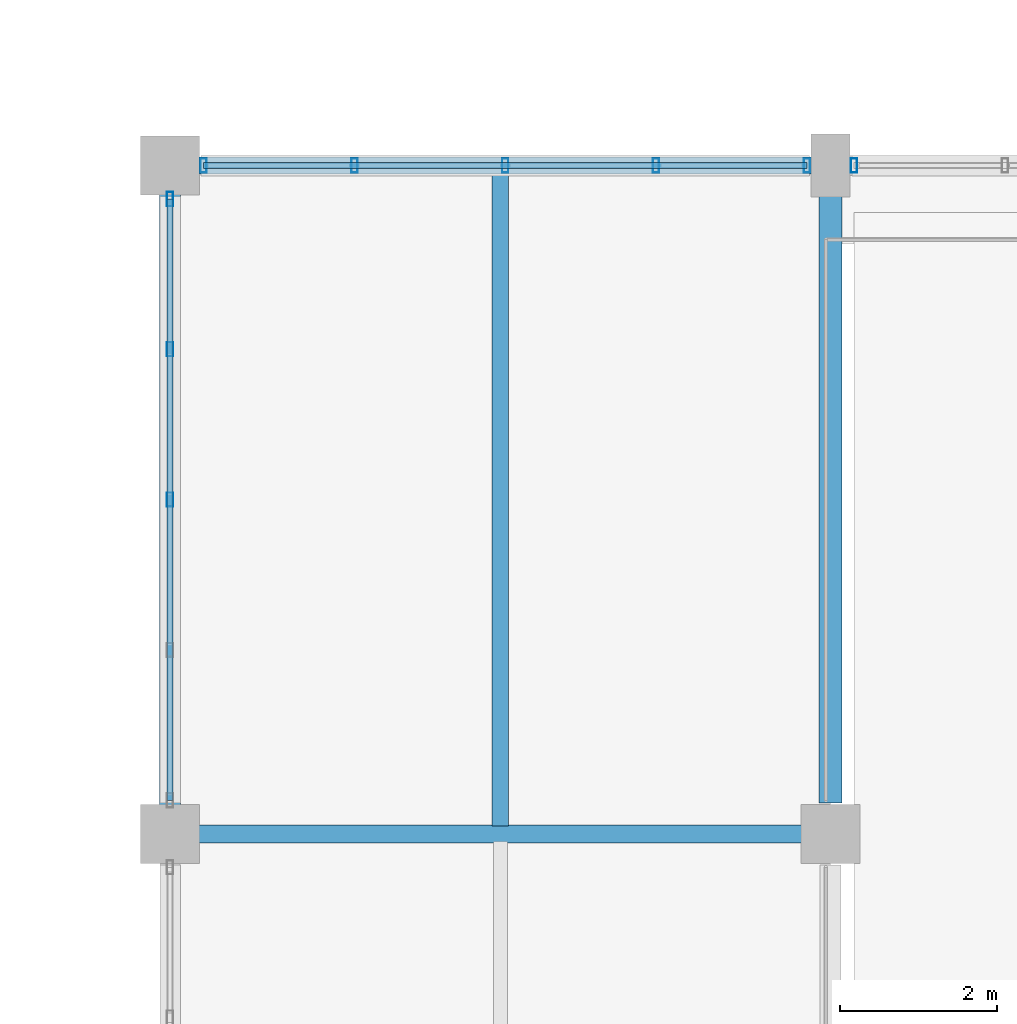
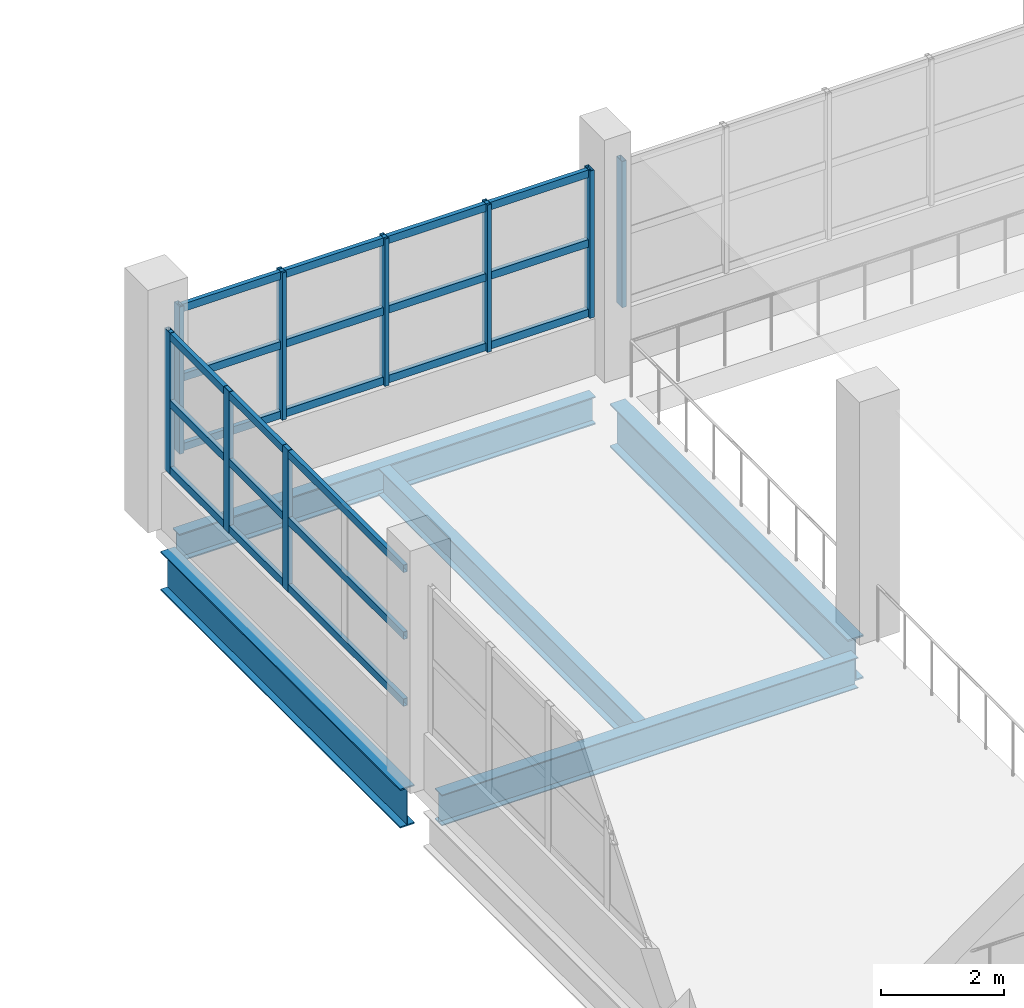
# One storey, part 28 of 77: 15 members, 5 beams, 3 elements without a shape of their own.
"""IFC4 building model written with IfcOpenShell, lengths in metres."""

from ifc_helpers import new_model, si_unit, direction, frame, origin, origin_2d, place, context, subcontext, project, spatial, hollow_rectangle, i_section, extrude, material, material_profile, profile_set, type_object, element, aggregate, save


model = new_model("IFC4")

# Units and contexts
model_context = context("Model", 3, precision=1e-05, world=origin(), true_north=direction((0.0, 1.0)))
body_context = subcontext(model_context, "Body", "Model", "MODEL_VIEW")
ifc_project = project(units=[si_unit("LENGTHUNIT", "METRE"), si_unit("AREAUNIT", "SQUARE_METRE"), si_unit("VOLUMEUNIT", "CUBIC_METRE"), si_unit("PLANEANGLEUNIT", "RADIAN"), si_unit("MASSUNIT", "GRAM", prefix="KILO")], contexts=[model_context])

# Site, building, storey
site_placement = place(None, origin())
site = spatial("IfcSite", under=ifc_project, at=site_placement, CompositionType="ELEMENT")
building_placement = place(site_placement, origin())
building = spatial("IfcBuilding", under=site, at=building_placement, Name="Solvento Point Concert Hall", CompositionType="ELEMENT")
storey_placement = place(building_placement, frame((0.0, 0.0, 10.199951171875)))
storey = spatial("IfcBuildingStorey", under=building, at=storey_placement, Name="L02", CompositionType="ELEMENT", Elevation=10.199951171875)

# Beams
ifc_material_1 = material(Name="Structural Steel ASTM A992 Grade 50", Category="steel")
ifc_material_profile_1 = material_profile(ifc_material_1, i_section(OverallWidth=0.20947265625, OverallDepth=0.532958984375, WebThickness=0.01025390625, FlangeThickness=0.015625, at=origin_2d()), Name="W21X62")
ifc_profile_set_1 = profile_set([ifc_material_profile_1], Name="Structural Steel ASTM A992 Grade 50")
beam_type_1 = type_object("IfcBeamType", Name="Beam_W21X62", PredefinedType="BEAM", material=ifc_profile_set_1)
beam_1_placement = place(storey_placement, frame((154.199951171875, 17.09912109375, -0.71044921875), z_axis=(0.0, 1.0, 0.0), x_axis=(-1.0, 0.0, 0.0)))
element("IfcBeam", 1, at=beam_1_placement, inside=storey, type_object=beam_type_1, Name="Secondary floor joist B-25 L02", PredefinedType="BEAM", context=body_context, shape_type="SweptSolid", body=[
    extrude(i_section(OverallWidth=0.20947265625, OverallDepth=0.532958984375, WebThickness=0.01025390625, FlangeThickness=0.015625, at=origin_2d()), origin(), (0.0, 0.0, 1.0), 8.308837890625),
])
ifc_material_2 = material(Name="Structural Steel ASTM A992 Grade 50", Category="steel")
ifc_material_profile_2 = material_profile(ifc_material_2, i_section(OverallWidth=0.214111328125, OverallDepth=0.549072265625, WebThickness=0.0146484375, FlangeThickness=0.023681640625, at=origin_2d()), Name="W21X93")
ifc_profile_set_2 = profile_set([ifc_material_profile_2], Name="Structural Steel ASTM A992 Grade 50")
beam_type_2 = type_object("IfcBeamType", Name="Beam_W21X93", PredefinedType="BEAM", material=ifc_profile_set_2)
beam_2_placement = place(storey_placement, frame((150.368896484375, 25.5, -0.718505859375), z_axis=(1.0, 0.0, 0.0), x_axis=(0.0, 1.0, 0.0)))
element("IfcBeam", 2, at=beam_2_placement, inside=storey, type_object=beam_type_2, Name="Primary girder B-48 L02", PredefinedType="BEAM", context=body_context, shape_type="SweptSolid", body=[
    extrude(i_section(OverallWidth=0.214111328125, OverallDepth=0.549072265625, WebThickness=0.0146484375, FlangeThickness=0.023681640625, at=origin_2d()), origin(), (0.0, 0.0, 1.0), 7.787109375),
])
ifc_material_3 = material(Name="Structural Steel ASTM A992 Grade 50", Category="steel")
ifc_material_profile_3 = material_profile(ifc_material_3, i_section(OverallWidth=0.228515625, OverallDepth=0.60791015625, WebThickness=0.01123046875, FlangeThickness=0.017333984375, at=origin_2d()), Name="W24X76")
ifc_profile_set_3 = profile_set([ifc_material_profile_3], Name="Structural Steel ASTM A992 Grade 50")
beam_type_3 = type_object("IfcBeamType", Name="Beam_W24X76", PredefinedType="BEAM", material=ifc_profile_set_3)
beam_3_placement = place(storey_placement, frame((150.368896484375, 17.0, -0.748046875), z_axis=(1.0, 0.0, 0.0), x_axis=(0.0, 1.0, 0.0)))
element("IfcBeam", 3, at=beam_3_placement, inside=storey, type_object=beam_type_3, Name="Primary girder B-42 L02", PredefinedType="BEAM", context=body_context, shape_type="SweptSolid", body=[
    extrude(i_section(OverallWidth=0.228515625, OverallDepth=0.60791015625, WebThickness=0.01123046875, FlangeThickness=0.017333984375, at=origin_2d()), origin(), (0.0, 0.0, 1.0), 7.787109375),
])
ifc_material_4 = material(Name="Structural Steel ASTM A992 Grade 50", Category="steel")
ifc_material_profile_4 = material_profile(ifc_material_4, i_section(OverallWidth=0.26806640625, OverallDepth=0.77001953125, WebThickness=0.015625, FlangeThickness=0.025390625, at=origin_2d()), Name="W30X132")
ifc_profile_set_4 = profile_set([ifc_material_profile_4], Name="Structural Steel ASTM A992 Grade 50")
beam_type_4 = type_object("IfcBeamType", Name="Girder_W30X132", PredefinedType="USERDEFINED", material=ifc_profile_set_4)
beam_4_placement = place(storey_placement, frame((150.0, 17.368896484375, -0.828857421875), z_axis=(0.0, 1.0, 0.0), x_axis=(-1.0, 0.0, 0.0)))
element("IfcBeam", 4, at=beam_4_placement, inside=storey, type_object=beam_type_4, Name="Primary girder B-68 L02", ObjectType="GIRDER", PredefinedType="USERDEFINED", context=body_context, shape_type="SweptSolid", body=[
    extrude(i_section(OverallWidth=0.26806640625, OverallDepth=0.77001953125, WebThickness=0.015625, FlangeThickness=0.025390625, at=origin_2d()), origin(), (0.0, 0.0, 1.0), 7.76220703125),
])
ifc_material_5 = material(Name="Structural Steel ASTM A992 Grade 50", Category="steel")
ifc_material_profile_5 = material_profile(ifc_material_5, i_section(OverallWidth=0.2919921875, OverallDepth=0.85888671875, WebThickness=0.01708984375, FlangeThickness=0.031005859375, at=origin_2d()), Name="W33X169")
ifc_profile_set_5 = profile_set([ifc_material_profile_5], Name="Structural Steel ASTM A992 Grade 50")
beam_type_5 = type_object("IfcBeamType", Name="Girder_W33X169", PredefinedType="USERDEFINED", material=ifc_profile_set_5)
beam_5_placement = place(storey_placement, frame((158.39990234375, 17.39404296875, -0.87353515625), z_axis=(0.0, 1.0, 0.0), x_axis=(-1.0, 0.0, 0.0)))
element("IfcBeam", 5, at=beam_5_placement, inside=storey, type_object=beam_type_5, Name="Primary girder B-33 L02", ObjectType="GIRDER", PredefinedType="USERDEFINED", context=body_context, shape_type="SweptSolid", body=[
    extrude(i_section(OverallWidth=0.2919921875, OverallDepth=0.85888671875, WebThickness=0.01708984375, FlangeThickness=0.031005859375, at=origin_2d()), origin(), (0.0, 0.0, 1.0), 7.7119140625),
])

# Curtain wall, members
ifc_material_6 = material(Name="Anodized Bronze Aluminium", Category="aluminium")
curtain_wall_type = type_object("IfcCurtainWallType", Name="CurtainWall_ChamberCircle", PredefinedType="USERDEFINED", material=ifc_material_6)
curtain_wall_1_placement = place(storey_placement, origin())
curtain_wall_1 = element("IfcCurtainWall", 6, at=curtain_wall_1_placement, inside=storey, type_object=curtain_wall_type, Name="Unitised curtain wall CW-32 UCW-L02-145", ObjectType="UNITISED CURTAIN WALL", PredefinedType="USERDEFINED")
ifc_material_7 = material(Name="Anodized Bronze Aluminium", Category="aluminium")
ifc_material_profile_6 = material_profile(ifc_material_7, hollow_rectangle(XDim=0.080078125, YDim=0.179931640625, WallThickness=0.00390625, at=origin_2d()), Name="CW-MUL-80X180")
ifc_profile_set_6 = profile_set([ifc_material_profile_6], Name="Anodized Bronze Aluminium")
member_type_1 = type_object("IfcMemberType", Name="Mullion_80x180", PredefinedType="MULLION", material=ifc_profile_set_6)
member_1_placement = place(storey_placement, frame((150.425048828125, 25.5, 1.1201171875), z_axis=(0.0, 0.0, 1.0), x_axis=(1.0, 0.0, 0.0)))
member_1 = element("IfcMember", 7, at=member_1_placement, type_object=member_type_1, Name="Curtain wall mullion ML-01", PredefinedType="MULLION", context=body_context, shape_type="SweptSolid", body=[
    extrude(hollow_rectangle(XDim=0.080078125, YDim=0.179931640625, WallThickness=0.00390625, at=origin_2d()), origin(), (0.0, 0.0, 1.0), 2.913818359375),
])
member_2_placement = place(storey_placement, frame((152.34375, 25.5, 1.1201171875), z_axis=(0.0, 0.0, 1.0), x_axis=(1.0, 0.0, 0.0)))
member_2 = element("IfcMember", 8, at=member_2_placement, type_object=member_type_1, Name="Curtain wall mullion ML-01", PredefinedType="MULLION", context=body_context, shape_type="SweptSolid", body=[
    extrude(hollow_rectangle(XDim=0.080078125, YDim=0.179931640625, WallThickness=0.00390625, at=origin_2d()), origin(), (0.0, 0.0, 1.0), 2.913818359375),
])
member_3_placement = place(storey_placement, frame((154.262451171875, 25.5, 1.1201171875), z_axis=(0.0, 0.0, 1.0), x_axis=(1.0, 0.0, 0.0)))
member_3 = element("IfcMember", 9, at=member_3_placement, type_object=member_type_1, Name="Curtain wall mullion ML-01", PredefinedType="MULLION", context=body_context, shape_type="SweptSolid", body=[
    extrude(hollow_rectangle(XDim=0.080078125, YDim=0.179931640625, WallThickness=0.00390625, at=origin_2d()), origin(), (0.0, 0.0, 1.0), 2.913818359375),
])
member_4_placement = place(storey_placement, frame((156.181396484375, 25.5, 1.1201171875), z_axis=(0.0, 0.0, 1.0), x_axis=(1.0, 0.0, 0.0)))
member_4 = element("IfcMember", 10, at=member_4_placement, type_object=member_type_1, Name="Curtain wall mullion ML-01", PredefinedType="MULLION", context=body_context, shape_type="SweptSolid", body=[
    extrude(hollow_rectangle(XDim=0.080078125, YDim=0.179931640625, WallThickness=0.00390625, at=origin_2d()), origin(), (0.0, 0.0, 1.0), 2.913818359375),
])
member_5_placement = place(storey_placement, frame((158.10009765625, 25.5, 1.1201171875), z_axis=(0.0, 0.0, 1.0), x_axis=(1.0, 0.0, 0.0)))
member_5 = element("IfcMember", 11, at=member_5_placement, type_object=member_type_1, Name="Curtain wall mullion ML-01", PredefinedType="MULLION", context=body_context, shape_type="SweptSolid", body=[
    extrude(hollow_rectangle(XDim=0.080078125, YDim=0.179931640625, WallThickness=0.00390625, at=origin_2d()), origin(), (0.0, 0.0, 1.0), 2.913818359375),
])

# Curtain wall, member
curtain_wall_2_placement = place(storey_placement, origin())
curtain_wall_2 = element("IfcCurtainWall", 12, at=curtain_wall_2_placement, inside=storey, type_object=curtain_wall_type, Name="Unitised curtain wall CW-32 UCW-L02-146", ObjectType="UNITISED CURTAIN WALL", PredefinedType="USERDEFINED")
member_6_placement = place(storey_placement, frame((158.699951171875, 25.5, 1.1201171875), z_axis=(0.0, 0.0, 1.0), x_axis=(1.0, 0.0, 0.0)))
member_6 = element("IfcMember", 13, at=member_6_placement, type_object=member_type_1, Name="Curtain wall mullion ML-01", PredefinedType="MULLION", context=body_context, shape_type="SweptSolid", body=[
    extrude(hollow_rectangle(XDim=0.080078125, YDim=0.179931640625, WallThickness=0.00390625, at=origin_2d()), origin(), (0.0, 0.0, 1.0), 2.89404296875),
])
aggregate(curtain_wall_2, [member_6])

# Curtain wall, members
curtain_wall_3_placement = place(storey_placement, origin())
curtain_wall_3 = element("IfcCurtainWall", 14, at=curtain_wall_3_placement, inside=storey, type_object=curtain_wall_type, Name="Unitised curtain wall CW-32 UCW-L02-164", ObjectType="UNITISED CURTAIN WALL", PredefinedType="USERDEFINED")
member_7_placement = place(storey_placement, frame((150.0, 21.25, 1.1201171875), z_axis=(0.0, 0.0, 1.0), x_axis=(1.0, 0.0, 0.0)))
member_7 = element("IfcMember", 15, at=member_7_placement, type_object=member_type_1, Name="Curtain wall mullion ML-01", PredefinedType="MULLION", context=body_context, shape_type="SweptSolid", body=[
    extrude(hollow_rectangle(XDim=0.080078125, YDim=0.179931640625, WallThickness=0.00390625, at=origin_2d()), origin(), (0.0, 0.0, 1.0), 2.804931640625),
])
member_8_placement = place(storey_placement, frame((150.0, 23.16259765625, 1.1201171875), z_axis=(0.0, 0.0, 1.0), x_axis=(1.0, 0.0, 0.0)))
member_8 = element("IfcMember", 16, at=member_8_placement, type_object=member_type_1, Name="Curtain wall mullion ML-01", PredefinedType="MULLION", context=body_context, shape_type="SweptSolid", body=[
    extrude(hollow_rectangle(XDim=0.080078125, YDim=0.179931640625, WallThickness=0.00390625, at=origin_2d()), origin(), (0.0, 0.0, 1.0), 2.804931640625),
])
member_9_placement = place(storey_placement, frame((150.0, 25.074951171875, 1.1201171875), z_axis=(0.0, 0.0, 1.0), x_axis=(1.0, 0.0, 0.0)))
member_9 = element("IfcMember", 17, at=member_9_placement, type_object=member_type_1, Name="Curtain wall mullion ML-01", PredefinedType="MULLION", context=body_context, shape_type="SweptSolid", body=[
    extrude(hollow_rectangle(XDim=0.080078125, YDim=0.179931640625, WallThickness=0.00390625, at=origin_2d()), origin(), (0.0, 0.0, 1.0), 2.804931640625),
])

# Member
ifc_material_8 = material(Name="Anodized Bronze Aluminium", Category="aluminium")
ifc_material_profile_7 = material_profile(ifc_material_8, hollow_rectangle(XDim=0.080078125, YDim=0.14990234375, WallThickness=0.00390625, at=origin_2d()), Name="CW-TRN-80X150")
ifc_profile_set_7 = profile_set([ifc_material_profile_7], Name="Anodized Bronze Aluminium")
member_type_2 = type_object("IfcMemberType", Name="Transom_80x150", PredefinedType="USERDEFINED", material=ifc_profile_set_7)
member_10_placement = place(storey_placement, frame((150.425048828125, 25.5, 1.199951171875), z_axis=(1.0, 0.0, 0.0), x_axis=(0.0, 1.0, 0.0)))
member_10 = element("IfcMember", 18, at=member_10_placement, type_object=member_type_2, Name="Curtain wall transom TR-01", ObjectType="TRANSOM", PredefinedType="USERDEFINED", context=body_context, shape_type="SweptSolid", body=[
    extrude(hollow_rectangle(XDim=0.080078125, YDim=0.14990234375, WallThickness=0.00390625, at=origin_2d()), origin(), (0.0, 0.0, 1.0), 7.675048828125),
])

member_11_placement = place(storey_placement, frame((150.425048828125, 25.5, 2.5771484375), z_axis=(1.0, 0.0, 0.0), x_axis=(0.0, 1.0, 0.0)))
member_11 = element("IfcMember", 19, at=member_11_placement, type_object=member_type_2, Name="Curtain wall transom TR-01", ObjectType="TRANSOM", PredefinedType="USERDEFINED", context=body_context, shape_type="SweptSolid", body=[
    extrude(hollow_rectangle(XDim=0.080078125, YDim=0.14990234375, WallThickness=0.00390625, at=origin_2d()), origin(), (0.0, 0.0, 1.0), 7.675048828125),
])

member_12_placement = place(storey_placement, frame((150.425048828125, 25.5, 3.9541015625), z_axis=(1.0, 0.0, 0.0), x_axis=(0.0, 1.0, 0.0)))
member_12 = element("IfcMember", 20, at=member_12_placement, type_object=member_type_2, Name="Curtain wall transom TR-01", ObjectType="TRANSOM", PredefinedType="USERDEFINED", context=body_context, shape_type="SweptSolid", body=[
    extrude(hollow_rectangle(XDim=0.080078125, YDim=0.14990234375, WallThickness=0.00390625, at=origin_2d()), origin(), (0.0, 0.0, 1.0), 7.675048828125),
])

aggregate(curtain_wall_1, [member_1, member_2, member_3, member_4, member_5, member_10, member_11, member_12])

member_13_placement = place(storey_placement, frame((150.0, 17.425048828125, 1.199951171875), z_axis=(0.0, 1.0, 0.0), x_axis=(-1.0, 0.0, 0.0)))
member_13 = element("IfcMember", 21, at=member_13_placement, type_object=member_type_2, Name="Curtain wall transom TR-01", ObjectType="TRANSOM", PredefinedType="USERDEFINED", context=body_context, shape_type="SweptSolid", body=[
    extrude(hollow_rectangle(XDim=0.080078125, YDim=0.14990234375, WallThickness=0.00390625, at=origin_2d()), origin(), (0.0, 0.0, 1.0), 7.64990234375),
])

member_14_placement = place(storey_placement, frame((150.0, 17.425048828125, 2.5224609375), z_axis=(0.0, 1.0, 0.0), x_axis=(-1.0, 0.0, 0.0)))
member_14 = element("IfcMember", 22, at=member_14_placement, type_object=member_type_2, Name="Curtain wall transom TR-01", ObjectType="TRANSOM", PredefinedType="USERDEFINED", context=body_context, shape_type="SweptSolid", body=[
    extrude(hollow_rectangle(XDim=0.080078125, YDim=0.14990234375, WallThickness=0.00390625, at=origin_2d()), origin(), (0.0, 0.0, 1.0), 7.64990234375),
])

member_15_placement = place(storey_placement, frame((150.0, 17.425048828125, 3.844970703125), z_axis=(0.0, 1.0, 0.0), x_axis=(-1.0, 0.0, 0.0)))
member_15 = element("IfcMember", 23, at=member_15_placement, type_object=member_type_2, Name="Curtain wall transom TR-01", ObjectType="TRANSOM", PredefinedType="USERDEFINED", context=body_context, shape_type="SweptSolid", body=[
    extrude(hollow_rectangle(XDim=0.080078125, YDim=0.14990234375, WallThickness=0.00390625, at=origin_2d()), origin(), (0.0, 0.0, 1.0), 7.64990234375),
])

aggregate(curtain_wall_3, [member_7, member_8, member_9, member_13, member_14, member_15])

save(model, "model.ifc")
